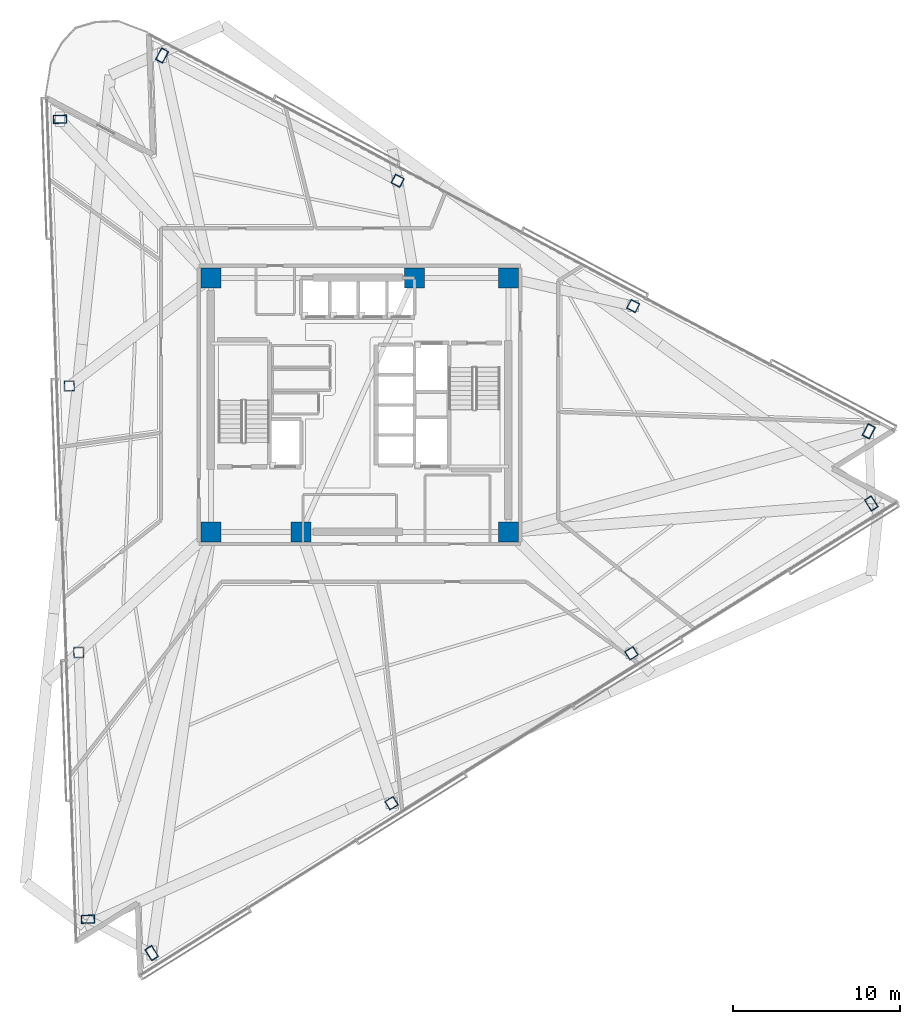
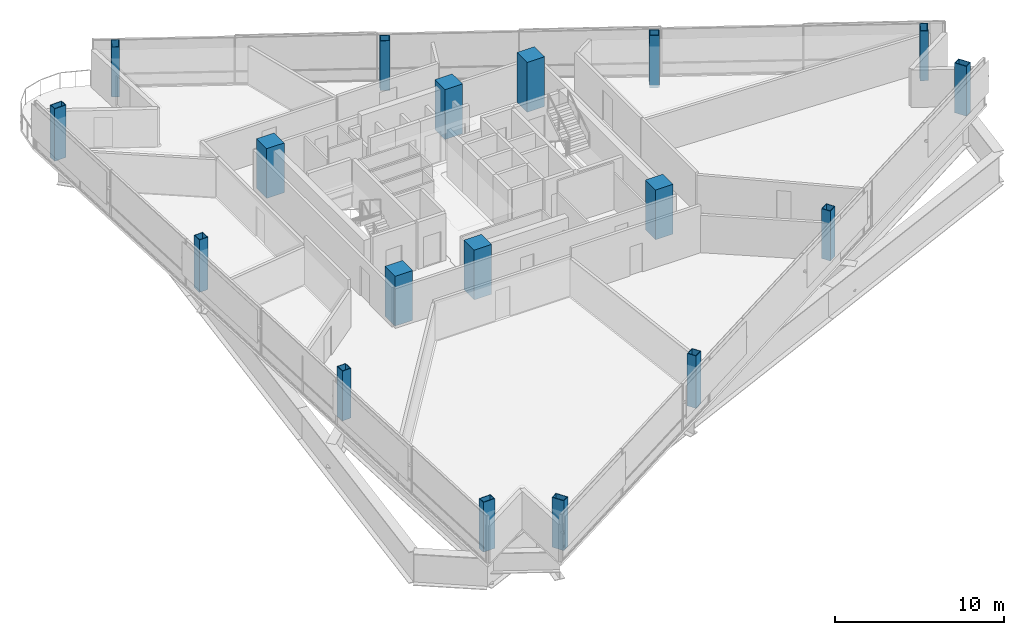
# One storey, part 1 of 20: 18 columns.
"""IFC4 building model written with IfcOpenShell, lengths in metres."""

from ifc_helpers import new_model, si_unit, direction, frame, origin, origin_2d, place, context, subcontext, project, spatial, rectangle, hollow_rectangle, extrude, material, material_profile, profile_set, type_object, element, save


model = new_model("IFC4")

# Units and contexts
model_context = context("Model", 3, precision=1e-05, world=origin(), true_north=direction((0.0, 1.0)))
body_context = subcontext(model_context, "Body", "Model", "MODEL_VIEW")
ifc_project = project(units=[si_unit("LENGTHUNIT", "METRE"), si_unit("AREAUNIT", "SQUARE_METRE"), si_unit("VOLUMEUNIT", "CUBIC_METRE"), si_unit("PLANEANGLEUNIT", "RADIAN"), si_unit("MASSUNIT", "GRAM", prefix="KILO")], contexts=[model_context])

# Site, building, storey
site_placement = place(None, origin())
site = spatial("IfcSite", under=ifc_project, at=site_placement, CompositionType="ELEMENT")
building_placement = place(site_placement, origin())
building = spatial("IfcBuilding", under=site, at=building_placement, Name="Tharavind Bronze Gate", CompositionType="ELEMENT")
storey_placement = place(building_placement, frame((0.0, 0.0, 138.800048828125)))
storey = spatial("IfcBuildingStorey", under=building, at=storey_placement, Name="L35", CompositionType="ELEMENT", Elevation=138.800048828125)

# Columns
ifc_material_1 = material(Name="Steel S460", Category="steel")
ifc_material_profile_1 = material_profile(ifc_material_1, hollow_rectangle(XDim=0.5, YDim=0.800048828125, WallThickness=0.0400390625, at=origin_2d()), Name="RHS800X500X40")
ifc_profile_set_1 = profile_set([ifc_material_profile_1], Name="Steel S460")
column_type_1 = type_object("IfcColumnType", Name="CORNER NOTCH COLUMN RHS800X500", PredefinedType="COLUMN", material=ifc_profile_set_1)
column_1_placement = place(storey_placement, frame((-17.9248046875, 17.09228515625, -0.18994140625), z_axis=(0.0, 0.0, 1.0), x_axis=(-0.034899496703, 0.999390827019, 0.0)))
element("IfcColumn", 1, at=column_1_placement, inside=storey, type_object=column_type_1, Name="L35 perimeter column S1C1", PredefinedType="COLUMN", context=body_context, shape_type="SweptSolid", body=[
    extrude(hollow_rectangle(XDim=0.5, YDim=0.800048828125, WallThickness=0.0400390625, at=origin_2d()), origin(), (0.0, 0.0, 1.0), 3.789794921875),
])
for number, where, z_axis, x_axis, name in (
    (2, (-16.253662109375, -30.767578125, 0.0), (0.0, 0.0, 1.0), (-0.034899496703, 0.999390827019, 0.0), "L35 perimeter column S1C4"),
    (3, (-12.439208984375, -32.7958984375, 0.0), (0.0, 0.0, 1.0), (0.848047171272, 0.529920744356, 0.0), "L35 perimeter column S2C1"),
    (4, (30.615478515625, -5.89208984375, 0.0), (0.0, 0.0, 1.0), (0.848047171272, 0.529920744356, 0.0), "L35 perimeter column S2C4"),
    (5, (30.46484375, -1.57470703125, 0.0), (0.0, 0.0, 1.0), (-0.88294841224, 0.469470021751, 0.0), "L35 perimeter column S3C1"),
    (6, (-11.819091796875, 20.90771484375, 0.0), (0.0, 0.0, 1.0), (-0.88294841224, 0.469470021751, 0.0), "L35 perimeter column S3C4"),
):
    element("IfcColumn", number, at=place(storey_placement, frame(where, z_axis=z_axis, x_axis=x_axis)), inside=storey, type_object=column_type_1, Name=name, PredefinedType="COLUMN", context=body_context, shape_type="SweptSolid", body=[
        extrude(hollow_rectangle(XDim=0.5, YDim=0.800048828125, WallThickness=0.0400390625, at=origin_2d()), origin(), (0.0, 0.0, 1.0), 3.599853515625),
    ])
ifc_material_2 = material(Name="Concrete C60/75", Category="concrete")
ifc_material_profile_2 = material_profile(ifc_material_2, rectangle(XDim=1.199951171875, YDim=1.199951171875, at=origin_2d()), Name="RCCOL1200")
ifc_profile_set_2 = profile_set([ifc_material_profile_2], Name="Concrete C60/75")
column_type_2 = type_object("IfcColumnType", Name="MEGA CORE COLUMN 1200", PredefinedType="COLUMN", material=ifc_profile_set_2)
for number, where, z_axis, x_axis, name in (
    (7, (-8.89990234375, -7.60009765625, 0.0), (0.0, 0.0, 1.0), (1.0, 0.0, 0.0), "L35 core mega column MC1"),
    (8, (-3.5, -7.60009765625, 0.0), (0.0, 0.0, 1.0), (1.0, 0.0, 0.0), "L35 core mega column MC2"),
    (9, (8.89990234375, -7.60009765625, 0.0), (0.0, 0.0, 1.0), (1.0, 0.0, 0.0), "L35 core mega column MC3"),
    (10, (8.89990234375, 7.60009765625, 0.0), (0.0, 0.0, 1.0), (1.0, 0.0, 0.0), "L35 core mega column MC4"),
    (11, (3.280029296875, 7.60009765625, 0.0), (0.0, 0.0, 1.0), (1.0, 0.0, 0.0), "L35 core mega column MC5"),
    (12, (-8.89990234375, 7.60009765625, 0.0), (0.0, 0.0, 1.0), (1.0, 0.0, 0.0), "L35 core mega column MC6"),
):
    element("IfcColumn", number, at=place(storey_placement, frame(where, z_axis=z_axis, x_axis=x_axis)), inside=storey, type_object=column_type_2, Name=name, PredefinedType="COLUMN", context=body_context, shape_type="SweptSolid", body=[
        extrude(rectangle(XDim=1.199951171875, YDim=1.199951171875, at=origin_2d()), origin(), (0.0, 0.0, 1.0), 3.599853515625),
    ])
ifc_material_profile_3 = material_profile(ifc_material_1, hollow_rectangle(XDim=0.60009765625, YDim=0.60009765625, WallThickness=0.035888671875, at=origin_2d()), Name="SHS600X36")
ifc_profile_set_3 = profile_set([ifc_material_profile_3], Name="Steel S460")
column_type_3 = type_object("IfcColumnType", Name="PERIMETER BOX COLUMN SHS600", PredefinedType="COLUMN", material=ifc_profile_set_3)
column_2_placement = place(storey_placement, frame((-17.367919921875, 1.138916015625, -0.18994140625), z_axis=(0.0, 0.0, 1.0), x_axis=(-0.034899496703, 0.999390827019, 0.0)))
element("IfcColumn", 13, at=column_2_placement, inside=storey, type_object=column_type_3, Name="L35 perimeter column S1C2", PredefinedType="COLUMN", context=body_context, shape_type="SweptSolid", body=[
    extrude(hollow_rectangle(XDim=0.60009765625, YDim=0.60009765625, WallThickness=0.035888671875, at=origin_2d()), origin(), (0.0, 0.0, 1.0), 3.789794921875),
])
column_3_placement = place(storey_placement, frame((-16.810791015625, -14.814208984375, 0.0), z_axis=(0.0, 0.0, 1.0), x_axis=(-0.034899496703, 0.999390827019, 0.0)))
element("IfcColumn", 14, at=column_3_placement, inside=storey, type_object=column_type_3, Name="L35 perimeter column S1C3", PredefinedType="COLUMN", context=body_context, shape_type="SweptSolid", body=[
    extrude(hollow_rectangle(XDim=0.60009765625, YDim=0.60009765625, WallThickness=0.035888671875, at=origin_2d()), origin(), (0.0, 0.0, 1.0), 3.599853515625),
])
column_4_placement = place(storey_placement, frame((1.912353515625, -23.827880859375, -0.18994140625), z_axis=(0.0, 0.0, 1.0), x_axis=(0.848047171272, 0.529920744356, 0.0)))
element("IfcColumn", 15, at=column_4_placement, inside=storey, type_object=column_type_3, Name="L35 perimeter column S2C2", PredefinedType="COLUMN", context=body_context, shape_type="SweptSolid", body=[
    extrude(hollow_rectangle(XDim=0.60009765625, YDim=0.60009765625, WallThickness=0.035888671875, at=origin_2d()), origin(), (0.0, 0.0, 1.0), 3.789794921875),
])
column_5_placement = place(storey_placement, frame((16.263916015625, -14.860107421875, 0.0), z_axis=(0.0, 0.0, 1.0), x_axis=(0.848047171272, 0.529920744356, 0.0)))
element("IfcColumn", 16, at=column_5_placement, inside=storey, type_object=column_type_3, Name="L35 perimeter column S2C3", PredefinedType="COLUMN", context=body_context, shape_type="SweptSolid", body=[
    extrude(hollow_rectangle(XDim=0.60009765625, YDim=0.60009765625, WallThickness=0.035888671875, at=origin_2d()), origin(), (0.0, 0.0, 1.0), 3.599853515625),
])
column_6_placement = place(storey_placement, frame((16.3701171875, 5.91943359375, -0.18994140625), z_axis=(0.0, 0.0, 1.0), x_axis=(-0.88294841224, 0.469470021751, 0.0)))
element("IfcColumn", 17, at=column_6_placement, inside=storey, type_object=column_type_3, Name="L35 perimeter column S3C2", PredefinedType="COLUMN", context=body_context, shape_type="SweptSolid", body=[
    extrude(hollow_rectangle(XDim=0.60009765625, YDim=0.60009765625, WallThickness=0.035888671875, at=origin_2d()), origin(), (0.0, 0.0, 1.0), 3.789794921875),
])
column_7_placement = place(storey_placement, frame((2.275634765625, 13.41357421875, 0.0), z_axis=(0.0, 0.0, 1.0), x_axis=(-0.88294841224, 0.469470021751, 0.0)))
element("IfcColumn", 18, at=column_7_placement, inside=storey, type_object=column_type_3, Name="L35 perimeter column S3C3", PredefinedType="COLUMN", context=body_context, shape_type="SweptSolid", body=[
    extrude(hollow_rectangle(XDim=0.60009765625, YDim=0.60009765625, WallThickness=0.035888671875, at=origin_2d()), origin(), (0.0, 0.0, 1.0), 3.599853515625),
])

save(model, "model.ifc")
